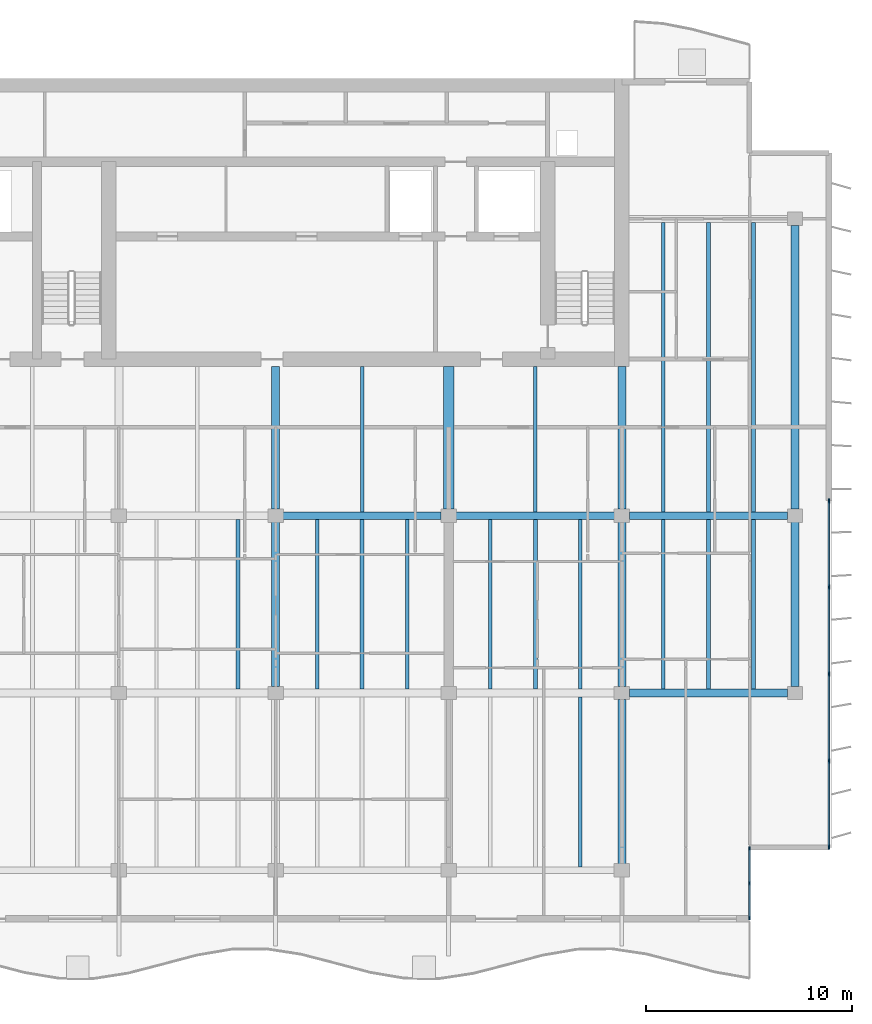
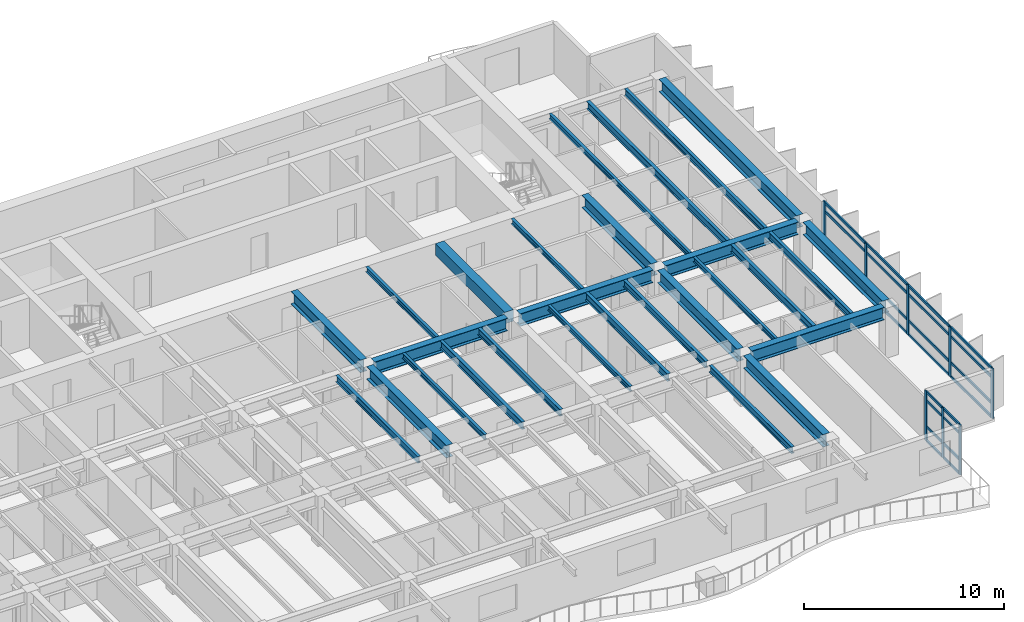
# One storey, part 4 of 17: 32 members, 28 beams, 2 elements without a shape of their own.
"""IFC4 building model written with IfcOpenShell, lengths in metres."""

from ifc_helpers import new_model, si_unit, direction, frame, origin, origin_2d, place, context, subcontext, project, spatial, rectangle, i_section, extrude, material, layer, layer_set, material_profile, profile_set, type_object, element, aggregate, save


model = new_model("IFC4")

# Units and contexts
model_context = context("Model", 3, precision=1e-05, world=origin(), true_north=direction((0.0, 1.0)))
body_context = subcontext(model_context, "Body", "Model", "MODEL_VIEW")
ifc_project = project(units=[si_unit("LENGTHUNIT", "METRE"), si_unit("AREAUNIT", "SQUARE_METRE"), si_unit("VOLUMEUNIT", "CUBIC_METRE"), si_unit("PLANEANGLEUNIT", "RADIAN"), si_unit("MASSUNIT", "GRAM", prefix="KILO")], contexts=[model_context])

# Site, building, storey
site_placement = place(None, origin())
site = spatial("IfcSite", under=ifc_project, at=site_placement, CompositionType="ELEMENT")
building_placement = place(site_placement, origin())
building = spatial("IfcBuilding", under=site, at=building_placement, Name="Caelmar Bay Residences", CompositionType="ELEMENT")
storey_placement = place(building_placement, frame((0.0, 0.0, 246.300048828125)))
storey = spatial("IfcBuildingStorey", under=building, at=storey_placement, Name="L69", CompositionType="ELEMENT", Elevation=246.300048828125)

# Beams
ifc_material_1 = material(Name="Steel ASTM A992 Grade 50", Category="steel")
ifc_material_profile_1 = material_profile(ifc_material_1, i_section(OverallWidth=0.177978515625, OverallDepth=0.406005859375, WebThickness=0.0078125, FlangeThickness=0.0126953125, FilletRadius=0.0087890625, at=origin_2d()), Name="W16X40")
ifc_profile_set_1 = profile_set([ifc_material_profile_1], Name="Steel ASTM A992 Grade 50")
beam_type_1 = type_object("IfcBeamType", Name="BM-BAL-W16X40", PredefinedType="JOIST", material=ifc_profile_set_1)
beam_1_placement = place(storey_placement, frame((57.48388671875, 12.362548828125, 2.846923828125), z_axis=(0.0, 1.0, 0.0), x_axis=(-1.0, 0.0, 0.0)))
element("IfcBeam", 1, at=beam_1_placement, inside=storey, type_object=beam_type_1, Name="L69 Composite Floor Joist 15", PredefinedType="JOIST", context=body_context, shape_type="SweptSolid", body=[
    extrude(i_section(OverallWidth=0.177978515625, OverallDepth=0.406005859375, WebThickness=0.0078125, FlangeThickness=0.0126953125, FilletRadius=0.0087890625, at=origin_2d()), origin(), (0.0, 0.0, 1.0), 8.2470703125),
])
for number, where, z_axis, x_axis, name in (
    (2, (40.8759765625, 20.990478515625, 2.846923828125), (0.0, 1.0, 0.0), (-1.0, 0.0, 0.0), "L69 Composite Floor Joist 27"),
    (3, (49.083984375, 20.990478515625, 2.846923828125), (0.0, 1.0, 0.0), (-1.0, 0.0, 0.0), "L69 Composite Floor Joist 30"),
    (4, (57.48388671875, 20.990478515625, 2.846923828125), (0.0, 1.0, 0.0), (-1.0, 0.0, 0.0), "L69 Composite Floor Joist 33"),
    (5, (65.884033203125, 20.990478515625, 2.846923828125), (0.0, 1.0, 0.0), (-1.0, 0.0, 0.0), "L69 Composite Floor Joist 36"),
):
    element("IfcBeam", number, at=place(storey_placement, frame(where, z_axis=z_axis, x_axis=x_axis)), inside=storey, type_object=beam_type_1, Name=name, PredefinedType="JOIST", context=body_context, shape_type="SweptSolid", body=[
        extrude(i_section(OverallWidth=0.177978515625, OverallDepth=0.406005859375, WebThickness=0.0078125, FlangeThickness=0.0126953125, FilletRadius=0.0087890625, at=origin_2d()), origin(), (0.0, 0.0, 1.0), 8.218994140625),
    ])
beam_2_placement = place(storey_placement, frame((65.884033203125, 29.590576171875, 2.846923828125), z_axis=(0.0, 1.0, 0.0), x_axis=(-1.0, 0.0, 0.0)))
element("IfcBeam", 6, at=beam_2_placement, inside=storey, type_object=beam_type_1, Name="L69 Composite Floor Joist 47", PredefinedType="JOIST", context=body_context, shape_type="SweptSolid", body=[
    extrude(i_section(OverallWidth=0.177978515625, OverallDepth=0.406005859375, WebThickness=0.0078125, FlangeThickness=0.0126953125, FilletRadius=0.0087890625, at=origin_2d()), origin(), (0.0, 0.0, 1.0), 14.046875),
])
ifc_material_profile_2 = material_profile(ifc_material_1, i_section(OverallWidth=0.381103515625, OverallDepth=0.77197265625, WebThickness=0.0166015625, FlangeThickness=0.027099609375, FilletRadius=0.0166015625, at=origin_2d()), Name="W30X173")
ifc_profile_set_2 = profile_set([ifc_material_profile_2], Name="Steel ASTM A992 Grade 50")
beam_type_2 = type_object("IfcBeamType", Name="BM-GRD-W30X173", PredefinedType="BEAM", material=ifc_profile_set_2)
beam_3_placement = place(storey_placement, frame((59.864990234375, 20.800048828125, 2.6640625), z_axis=(1.0, 0.0, 0.0), x_axis=(0.0, 1.0, 0.0)))
element("IfcBeam", 7, at=beam_3_placement, inside=storey, type_object=beam_type_2, Name="L69 East-West Girder Y=20.80 (59.5-67.9)", PredefinedType="BEAM", context=body_context, shape_type="SweptSolid", body=[
    extrude(i_section(OverallWidth=0.381103515625, OverallDepth=0.77197265625, WebThickness=0.0166015625, FlangeThickness=0.027099609375, FilletRadius=0.0166015625, at=origin_2d()), origin(), (0.0, 0.0, 1.0), 7.669921875),
])
beam_4_placement = place(storey_placement, frame((43.06494140625, 29.39990234375, 2.6640625), z_axis=(1.0, 0.0, 0.0), x_axis=(0.0, 1.0, 0.0)))
element("IfcBeam", 8, at=beam_4_placement, inside=storey, type_object=beam_type_2, Name="L69 East-West Girder Y=29.40 (42.7-51.1)", PredefinedType="BEAM", context=body_context, shape_type="SweptSolid", body=[
    extrude(i_section(OverallWidth=0.381103515625, OverallDepth=0.77197265625, WebThickness=0.0166015625, FlangeThickness=0.027099609375, FilletRadius=0.0166015625, at=origin_2d()), origin(), (0.0, 0.0, 1.0), 7.670166015625),
])
for number, where, z_axis, x_axis, name in (
    (9, (51.465087890625, 29.39990234375, 2.6640625), (1.0, 0.0, 0.0), (0.0, 1.0, 0.0), "L69 East-West Girder Y=29.40 (51.1-59.5)"),
    (10, (59.864990234375, 29.39990234375, 2.6640625), (1.0, 0.0, 0.0), (0.0, 1.0, 0.0), "L69 East-West Girder Y=29.40 (59.5-67.9)"),
):
    element("IfcBeam", number, at=place(storey_placement, frame(where, z_axis=z_axis, x_axis=x_axis)), inside=storey, type_object=beam_type_2, Name=name, PredefinedType="BEAM", context=body_context, shape_type="SweptSolid", body=[
        extrude(i_section(OverallWidth=0.381103515625, OverallDepth=0.77197265625, WebThickness=0.0166015625, FlangeThickness=0.027099609375, FilletRadius=0.0166015625, at=origin_2d()), origin(), (0.0, 0.0, 1.0), 7.669921875),
    ])
beam_5_placement = place(storey_placement, frame((42.699951171875, 29.715087890625, 2.6640625), z_axis=(0.0, 1.0, 0.0), x_axis=(-1.0, 0.0, 0.0)))
element("IfcBeam", 11, at=beam_5_placement, inside=storey, type_object=beam_type_2, Name="L69 Core Tie Girder X=42.70", PredefinedType="BEAM", context=body_context, shape_type="SweptSolid", body=[
    extrude(i_section(OverallWidth=0.381103515625, OverallDepth=0.77197265625, WebThickness=0.0166015625, FlangeThickness=0.027099609375, FilletRadius=0.0166015625, at=origin_2d()), origin(), (0.0, 0.0, 1.0), 6.934814453125),
])
beam_6_placement = place(storey_placement, frame((42.699951171875, 21.114990234375, 2.6640625), z_axis=(0.0, 1.0, 0.0), x_axis=(-1.0, 0.0, 0.0)))
element("IfcBeam", 12, at=beam_6_placement, inside=storey, type_object=beam_type_2, Name="L69 North-South Girder X=42.70 (20.8-29.4)", PredefinedType="BEAM", context=body_context, shape_type="SweptSolid", body=[
    extrude(i_section(OverallWidth=0.381103515625, OverallDepth=0.77197265625, WebThickness=0.0166015625, FlangeThickness=0.027099609375, FilletRadius=0.0166015625, at=origin_2d()), origin(), (0.0, 0.0, 1.0), 7.969970703125),
])
beam_7_placement = place(storey_placement, frame((59.5, 29.715087890625, 2.6640625), z_axis=(0.0, 1.0, 0.0), x_axis=(-1.0, 0.0, 0.0)))
element("IfcBeam", 13, at=beam_7_placement, inside=storey, type_object=beam_type_2, Name="L69 Core Tie Girder X=59.50", PredefinedType="BEAM", context=body_context, shape_type="SweptSolid", body=[
    extrude(i_section(OverallWidth=0.381103515625, OverallDepth=0.77197265625, WebThickness=0.0166015625, FlangeThickness=0.027099609375, FilletRadius=0.0166015625, at=origin_2d()), origin(), (0.0, 0.0, 1.0), 6.934814453125),
])
beam_8_placement = place(storey_placement, frame((59.5, 12.514892578125, 2.6640625), z_axis=(0.0, 1.0, 0.0), x_axis=(-1.0, 0.0, 0.0)))
element("IfcBeam", 14, at=beam_8_placement, inside=storey, type_object=beam_type_2, Name="L69 North-South Girder X=59.50 (12.2-20.8)", PredefinedType="BEAM", context=body_context, shape_type="SweptSolid", body=[
    extrude(i_section(OverallWidth=0.381103515625, OverallDepth=0.77197265625, WebThickness=0.0166015625, FlangeThickness=0.027099609375, FilletRadius=0.0166015625, at=origin_2d()), origin(), (0.0, 0.0, 1.0), 7.97021484375),
])
for number, where, z_axis, x_axis, name in (
    (15, (59.5, 21.114990234375, 2.6640625), (0.0, 1.0, 0.0), (-1.0, 0.0, 0.0), "L69 North-South Girder X=59.50 (20.8-29.4)"),
    (16, (67.89990234375, 21.114990234375, 2.6640625), (0.0, 1.0, 0.0), (-1.0, 0.0, 0.0), "L69 North-South Girder X=67.90 (20.8-29.4)"),
):
    element("IfcBeam", number, at=place(storey_placement, frame(where, z_axis=z_axis, x_axis=x_axis)), inside=storey, type_object=beam_type_2, Name=name, PredefinedType="BEAM", context=body_context, shape_type="SweptSolid", body=[
        extrude(i_section(OverallWidth=0.381103515625, OverallDepth=0.77197265625, WebThickness=0.0166015625, FlangeThickness=0.027099609375, FilletRadius=0.0166015625, at=origin_2d()), origin(), (0.0, 0.0, 1.0), 7.969970703125),
    ])
beam_9_placement = place(storey_placement, frame((67.89990234375, 29.715087890625, 2.6640625), z_axis=(0.0, 1.0, 0.0), x_axis=(-1.0, 0.0, 0.0)))
element("IfcBeam", 17, at=beam_9_placement, inside=storey, type_object=beam_type_2, Name="L69 North-South Girder X=67.90 (29.4-43.8)", PredefinedType="BEAM", context=body_context, shape_type="SweptSolid", body=[
    extrude(i_section(OverallWidth=0.381103515625, OverallDepth=0.77197265625, WebThickness=0.0166015625, FlangeThickness=0.027099609375, FilletRadius=0.0166015625, at=origin_2d()), origin(), (0.0, 0.0, 1.0), 13.77001953125),
])
ifc_material_profile_3 = material_profile(ifc_material_1, i_section(OverallWidth=0.1650390625, OverallDepth=0.31005859375, WebThickness=0.005859375, FlangeThickness=0.009765625, FilletRadius=0.007568359375, at=origin_2d()), Name="W12X26")
ifc_profile_set_3 = profile_set([ifc_material_profile_3], Name="Steel ASTM A992 Grade 50")
beam_type_3 = type_object("IfcBeamType", Name="BM-JST-W12X26", PredefinedType="JOIST", material=ifc_profile_set_3)
for number, where, z_axis, x_axis, name in (
    (18, (44.716064453125, 20.990478515625, 2.89501953125), (0.0, 1.0, 0.0), (-1.0, 0.0, 0.0), "L69 Composite Floor Joist 28"),
    (19, (53.115966796875, 20.990478515625, 2.89501953125), (0.0, 1.0, 0.0), (-1.0, 0.0, 0.0), "L69 Composite Floor Joist 31"),
    (20, (61.51611328125, 20.990478515625, 2.89501953125), (0.0, 1.0, 0.0), (-1.0, 0.0, 0.0), "L69 Composite Floor Joist 34"),
):
    element("IfcBeam", number, at=place(storey_placement, frame(where, z_axis=z_axis, x_axis=x_axis)), inside=storey, type_object=beam_type_3, Name=name, PredefinedType="JOIST", context=body_context, shape_type="SweptSolid", body=[
        extrude(i_section(OverallWidth=0.1650390625, OverallDepth=0.31005859375, WebThickness=0.005859375, FlangeThickness=0.009765625, FilletRadius=0.007568359375, at=origin_2d()), origin(), (0.0, 0.0, 1.0), 8.218994140625),
    ])
for number, where, z_axis, x_axis, name in (
    (21, (46.89990234375, 29.590576171875, 2.89501953125), (0.0, 1.0, 0.0), (-1.0, 0.0, 0.0), "L69 Core-Band Composite Joist 40"),
    (22, (55.300048828125, 29.590576171875, 2.89501953125), (0.0, 1.0, 0.0), (-1.0, 0.0, 0.0), "L69 Core-Band Composite Joist 41"),
):
    element("IfcBeam", number, at=place(storey_placement, frame(where, z_axis=z_axis, x_axis=x_axis)), inside=storey, type_object=beam_type_3, Name=name, PredefinedType="JOIST", context=body_context, shape_type="SweptSolid", body=[
        extrude(i_section(OverallWidth=0.1650390625, OverallDepth=0.31005859375, WebThickness=0.005859375, FlangeThickness=0.009765625, FilletRadius=0.007568359375, at=origin_2d()), origin(), (0.0, 0.0, 1.0), 7.059326171875),
    ])
beam_10_placement = place(storey_placement, frame((61.51611328125, 29.590576171875, 2.89501953125), z_axis=(0.0, 1.0, 0.0), x_axis=(-1.0, 0.0, 0.0)))
element("IfcBeam", 23, at=beam_10_placement, inside=storey, type_object=beam_type_3, Name="L69 Composite Floor Joist 45", PredefinedType="JOIST", context=body_context, shape_type="SweptSolid", body=[
    extrude(i_section(OverallWidth=0.1650390625, OverallDepth=0.31005859375, WebThickness=0.005859375, FlangeThickness=0.009765625, FilletRadius=0.007568359375, at=origin_2d()), origin(), (0.0, 0.0, 1.0), 14.046875),
])
ifc_material_profile_4 = material_profile(ifc_material_1, i_section(OverallWidth=0.19091796875, OverallDepth=0.45703125, WebThickness=0.009033203125, FlangeThickness=0.014404296875, FilletRadius=0.01025390625, at=origin_2d()), Name="W18X50")
ifc_profile_set_4 = profile_set([ifc_material_profile_4], Name="Steel ASTM A992 Grade 50")
beam_type_4 = type_object("IfcBeamType", Name="BM-JST-W18X50", PredefinedType="JOIST", material=ifc_profile_set_4)
for number, where, z_axis, x_axis, name in (
    (24, (46.89990234375, 20.990478515625, 2.821533203125), (0.0, 1.0, 0.0), (-1.0, 0.0, 0.0), "L69 Composite Floor Joist 29"),
    (25, (55.300048828125, 20.990478515625, 2.821533203125), (0.0, 1.0, 0.0), (-1.0, 0.0, 0.0), "L69 Composite Floor Joist 32"),
    (26, (63.699951171875, 20.990478515625, 2.821533203125), (0.0, 1.0, 0.0), (-1.0, 0.0, 0.0), "L69 Composite Floor Joist 35"),
):
    element("IfcBeam", number, at=place(storey_placement, frame(where, z_axis=z_axis, x_axis=x_axis)), inside=storey, type_object=beam_type_4, Name=name, PredefinedType="JOIST", context=body_context, shape_type="SweptSolid", body=[
        extrude(i_section(OverallWidth=0.19091796875, OverallDepth=0.45703125, WebThickness=0.009033203125, FlangeThickness=0.014404296875, FilletRadius=0.01025390625, at=origin_2d()), origin(), (0.0, 0.0, 1.0), 8.218994140625),
    ])
beam_11_placement = place(storey_placement, frame((63.699951171875, 29.590576171875, 2.821533203125), z_axis=(0.0, 1.0, 0.0), x_axis=(-1.0, 0.0, 0.0)))
element("IfcBeam", 27, at=beam_11_placement, inside=storey, type_object=beam_type_4, Name="L69 Composite Floor Joist 46", PredefinedType="JOIST", context=body_context, shape_type="SweptSolid", body=[
    extrude(i_section(OverallWidth=0.19091796875, OverallDepth=0.45703125, WebThickness=0.009033203125, FlangeThickness=0.014404296875, FilletRadius=0.01025390625, at=origin_2d()), origin(), (0.0, 0.0, 1.0), 14.046875),
])
ifc_material_2 = material(Name="Concrete f'c 55 MPa (8,000 psi)", Category="concrete")
ifc_material_profile_5 = material_profile(ifc_material_2, rectangle(XDim=0.5, YDim=0.699951171875, at=origin_2d()), Name="RC-BM-500X700")
ifc_profile_set_5 = profile_set([ifc_material_profile_5], Name="Concrete f'c 55 MPa (8,000 psi)")
beam_type_5 = type_object("IfcBeamType", Name="BM-RC-500X700", PredefinedType="LINTEL", material=ifc_profile_set_5)
beam_12_placement = place(storey_placement, frame((51.10009765625, 29.715087890625, 2.699951171875), z_axis=(0.0, 1.0, 0.0), x_axis=(-1.0, 0.0, 0.0)))
element("IfcBeam", 28, at=beam_12_placement, inside=storey, type_object=beam_type_5, Name="L69 Shear-Wall Corridor Coupling Lintel E8", PredefinedType="LINTEL", context=body_context, shape_type="SweptSolid", body=[
    extrude(rectangle(XDim=0.5, YDim=0.699951171875, at=origin_2d()), origin(), (0.0, 0.0, 1.0), 6.934814453125),
])

# Curtain wall, members
ifc_material_3 = material(Name="Anodised bronze aluminium 6063-T6 and laminated glass", Category="aluminium")
ifc_layer_1 = layer(ifc_material_3, 0.179931640625)
ifc_layer_set_1 = layer_set([ifc_layer_1], Name="Anodised bronze aluminium 6063-T6 and laminated glass")
curtain_wall_type_1 = type_object("IfcCurtainWallType", Name="CW6-NTC", PredefinedType="NOTDEFINED", material=ifc_layer_set_1)
curtain_wall_1_placement = place(storey_placement, origin())
curtain_wall_1 = element("IfcCurtainWall", 29, at=curtain_wall_1_placement, inside=storey, type_object=curtain_wall_type_1, Name="CW6 curtain wall L69", PredefinedType="NOTDEFINED")
ifc_material_4 = material(Name="Anodised bronze aluminium 6063-T6", Category="aluminium")
ifc_material_profile_6 = material_profile(ifc_material_4, rectangle(XDim=0.080078125, YDim=0.179931640625, at=origin_2d()), Name="CWM-80X180")
ifc_profile_set_6 = profile_set([ifc_material_profile_6], Name="Anodised bronze aluminium 6063-T6")
member_type_1 = type_object("IfcMemberType", Name="CWM-180", PredefinedType="MULLION", material=ifc_profile_set_6)
member_1_placement = place(storey_placement, frame((65.699951171875, 9.889892578125, 0.0), z_axis=(0.0, 0.0, 1.0), x_axis=(-1.0, 0.0, 0.0)))
member_1 = element("IfcMember", 30, at=member_1_placement, type_object=member_type_1, Name="CW6 mullion 1", PredefinedType="MULLION", context=body_context, shape_type="SweptSolid", body=[
    extrude(rectangle(XDim=0.080078125, YDim=0.179931640625, at=origin_2d()), origin(), (0.0, 0.0, 1.0), 3.050048828125),
])
member_2_placement = place(storey_placement, frame((65.699951171875, 11.574951171875, 0.0), z_axis=(0.0, 0.0, 1.0), x_axis=(-1.0, 0.0, 0.0)))
member_2 = element("IfcMember", 31, at=member_2_placement, type_object=member_type_1, Name="CW6 mullion 2", PredefinedType="MULLION", context=body_context, shape_type="SweptSolid", body=[
    extrude(rectangle(XDim=0.080078125, YDim=0.179931640625, at=origin_2d()), origin(), (0.0, 0.0, 1.0), 3.050048828125),
])
member_3_placement = place(storey_placement, frame((65.699951171875, 13.260009765625, 0.0), z_axis=(0.0, 0.0, 1.0), x_axis=(-1.0, 0.0, 0.0)))
member_3 = element("IfcMember", 32, at=member_3_placement, type_object=member_type_1, Name="CW6 mullion 3", PredefinedType="MULLION", context=body_context, shape_type="SweptSolid", body=[
    extrude(rectangle(XDim=0.080078125, YDim=0.179931640625, at=origin_2d()), origin(), (0.0, 0.0, 1.0), 3.050048828125),
])

ifc_layer_2 = layer(ifc_material_3, 0.179931640625)
ifc_layer_set_2 = layer_set([ifc_layer_2], Name="Anodised bronze aluminium 6063-T6 and laminated glass")
curtain_wall_type_2 = type_object("IfcCurtainWallType", Name="CW5-Z4", PredefinedType="NOTDEFINED", material=ifc_layer_set_2)
curtain_wall_2_placement = place(storey_placement, origin())
curtain_wall_2 = element("IfcCurtainWall", 33, at=curtain_wall_2_placement, inside=storey, type_object=curtain_wall_type_2, Name="CW5 curtain wall L69", PredefinedType="NOTDEFINED")
ifc_material_profile_7 = material_profile(ifc_material_4, rectangle(XDim=0.080078125, YDim=0.219970703125, at=origin_2d()), Name="CWM-80X220")
ifc_profile_set_7 = profile_set([ifc_material_profile_7], Name="Anodised bronze aluminium 6063-T6")
member_type_2 = type_object("IfcMemberType", Name="CWM-220", PredefinedType="MULLION", material=ifc_profile_set_7)
member_4_placement = place(storey_placement, frame((69.550048828125, 30.110107421875, 0.0), z_axis=(0.0, 0.0, 1.0), x_axis=(1.0, 0.0, 0.0)))
member_4 = element("IfcMember", 34, at=member_4_placement, type_object=member_type_2, Name="CW5 mullion 1", PredefinedType="MULLION", context=body_context, shape_type="SweptSolid", body=[
    extrude(rectangle(XDim=0.080078125, YDim=0.219970703125, at=origin_2d()), origin(), (0.0, 0.0, 1.0), 3.050048828125),
])
member_5_placement = place(storey_placement, frame((69.550048828125, 25.9375, 0.0), z_axis=(0.0, 0.0, 1.0), x_axis=(1.0, 0.0, 0.0)))
member_5 = element("IfcMember", 35, at=member_5_placement, type_object=member_type_2, Name="CW5 mullion 2", PredefinedType="MULLION", context=body_context, shape_type="SweptSolid", body=[
    extrude(rectangle(XDim=0.080078125, YDim=0.219970703125, at=origin_2d()), origin(), (0.0, 0.0, 1.0), 3.050048828125),
])
member_6_placement = place(storey_placement, frame((69.550048828125, 21.72509765625, 0.0), z_axis=(0.0, 0.0, 1.0), x_axis=(1.0, 0.0, 0.0)))
member_6 = element("IfcMember", 36, at=member_6_placement, type_object=member_type_2, Name="CW5 mullion 3", PredefinedType="MULLION", context=body_context, shape_type="SweptSolid", body=[
    extrude(rectangle(XDim=0.080078125, YDim=0.219970703125, at=origin_2d()), origin(), (0.0, 0.0, 1.0), 3.050048828125),
])
member_7_placement = place(storey_placement, frame((69.550048828125, 17.512451171875, 0.0), z_axis=(0.0, 0.0, 1.0), x_axis=(1.0, 0.0, 0.0)))
member_7 = element("IfcMember", 37, at=member_7_placement, type_object=member_type_2, Name="CW5 mullion 4", PredefinedType="MULLION", context=body_context, shape_type="SweptSolid", body=[
    extrude(rectangle(XDim=0.080078125, YDim=0.219970703125, at=origin_2d()), origin(), (0.0, 0.0, 1.0), 3.050048828125),
])
member_8_placement = place(storey_placement, frame((69.550048828125, 13.340087890625, 0.0), z_axis=(0.0, 0.0, 1.0), x_axis=(1.0, 0.0, 0.0)))
member_8 = element("IfcMember", 38, at=member_8_placement, type_object=member_type_2, Name="CW5 mullion 5", PredefinedType="MULLION", context=body_context, shape_type="SweptSolid", body=[
    extrude(rectangle(XDim=0.080078125, YDim=0.219970703125, at=origin_2d()), origin(), (0.0, 0.0, 1.0), 3.050048828125),
])

# Member
ifc_material_profile_8 = material_profile(ifc_material_4, rectangle(XDim=0.080078125, YDim=0.139892578125, at=origin_2d()), Name="CWT-80X140")
ifc_profile_set_8 = profile_set([ifc_material_profile_8], Name="Anodised bronze aluminium 6063-T6")
member_type_3 = type_object("IfcMemberType", Name="CWT-140", PredefinedType="NOTDEFINED", material=ifc_profile_set_8)
member_9_placement = place(storey_placement, frame((65.699951171875, 9.929931640625, 0.0400390625), z_axis=(0.0, 1.0, 0.0), x_axis=(-1.0, 0.0, 0.0)))
member_9 = element("IfcMember", 39, at=member_9_placement, type_object=member_type_3, Name="CW6 transom 1.1", ObjectType="TRANSOM", PredefinedType="USERDEFINED", context=body_context, shape_type="SweptSolid", body=[
    extrude(rectangle(XDim=0.080078125, YDim=0.139892578125, at=origin_2d()), origin(), (0.0, 0.0, 1.0), 1.60498046875),
])

member_10_placement = place(storey_placement, frame((65.699951171875, 9.929931640625, 0.89990234375), z_axis=(0.0, 1.0, 0.0), x_axis=(-1.0, 0.0, 0.0)))
member_10 = element("IfcMember", 40, at=member_10_placement, type_object=member_type_3, Name="CW6 transom 1.2", ObjectType="TRANSOM", PredefinedType="USERDEFINED", context=body_context, shape_type="SweptSolid", body=[
    extrude(rectangle(XDim=0.080078125, YDim=0.139892578125, at=origin_2d()), origin(), (0.0, 0.0, 1.0), 1.60498046875),
])

member_11_placement = place(storey_placement, frame((65.699951171875, 9.929931640625, 2.5), z_axis=(0.0, 1.0, 0.0), x_axis=(-1.0, 0.0, 0.0)))
member_11 = element("IfcMember", 41, at=member_11_placement, type_object=member_type_3, Name="CW6 transom 1.3", ObjectType="TRANSOM", PredefinedType="USERDEFINED", context=body_context, shape_type="SweptSolid", body=[
    extrude(rectangle(XDim=0.080078125, YDim=0.139892578125, at=origin_2d()), origin(), (0.0, 0.0, 1.0), 1.60498046875),
])

member_12_placement = place(storey_placement, frame((65.699951171875, 9.929931640625, 3.010009765625), z_axis=(0.0, 1.0, 0.0), x_axis=(-1.0, 0.0, 0.0)))
member_12 = element("IfcMember", 42, at=member_12_placement, type_object=member_type_3, Name="CW6 transom 1.4", ObjectType="TRANSOM", PredefinedType="USERDEFINED", context=body_context, shape_type="SweptSolid", body=[
    extrude(rectangle(XDim=0.080078125, YDim=0.139892578125, at=origin_2d()), origin(), (0.0, 0.0, 1.0), 1.60498046875),
])

member_13_placement = place(storey_placement, frame((65.699951171875, 11.614990234375, 0.0400390625), z_axis=(0.0, 1.0, 0.0), x_axis=(-1.0, 0.0, 0.0)))
member_13 = element("IfcMember", 43, at=member_13_placement, type_object=member_type_3, Name="CW6 transom 2.1", ObjectType="TRANSOM", PredefinedType="USERDEFINED", context=body_context, shape_type="SweptSolid", body=[
    extrude(rectangle(XDim=0.080078125, YDim=0.139892578125, at=origin_2d()), origin(), (0.0, 0.0, 1.0), 1.60498046875),
])

member_14_placement = place(storey_placement, frame((65.699951171875, 11.614990234375, 0.89990234375), z_axis=(0.0, 1.0, 0.0), x_axis=(-1.0, 0.0, 0.0)))
member_14 = element("IfcMember", 44, at=member_14_placement, type_object=member_type_3, Name="CW6 transom 2.2", ObjectType="TRANSOM", PredefinedType="USERDEFINED", context=body_context, shape_type="SweptSolid", body=[
    extrude(rectangle(XDim=0.080078125, YDim=0.139892578125, at=origin_2d()), origin(), (0.0, 0.0, 1.0), 1.60498046875),
])

member_15_placement = place(storey_placement, frame((65.699951171875, 11.614990234375, 2.5), z_axis=(0.0, 1.0, 0.0), x_axis=(-1.0, 0.0, 0.0)))
member_15 = element("IfcMember", 45, at=member_15_placement, type_object=member_type_3, Name="CW6 transom 2.3", ObjectType="TRANSOM", PredefinedType="USERDEFINED", context=body_context, shape_type="SweptSolid", body=[
    extrude(rectangle(XDim=0.080078125, YDim=0.139892578125, at=origin_2d()), origin(), (0.0, 0.0, 1.0), 1.60498046875),
])

member_16_placement = place(storey_placement, frame((65.699951171875, 11.614990234375, 3.010009765625), z_axis=(0.0, 1.0, 0.0), x_axis=(-1.0, 0.0, 0.0)))
member_16 = element("IfcMember", 46, at=member_16_placement, type_object=member_type_3, Name="CW6 transom 2.4", ObjectType="TRANSOM", PredefinedType="USERDEFINED", context=body_context, shape_type="SweptSolid", body=[
    extrude(rectangle(XDim=0.080078125, YDim=0.139892578125, at=origin_2d()), origin(), (0.0, 0.0, 1.0), 1.60498046875),
])

aggregate(curtain_wall_1, [member_1, member_2, member_3, member_9, member_10, member_11, member_12, member_13, member_14, member_15, member_16])

ifc_material_profile_9 = material_profile(ifc_material_4, rectangle(XDim=0.080078125, YDim=0.159912109375, at=origin_2d()), Name="CWT-80X160")
ifc_profile_set_9 = profile_set([ifc_material_profile_9], Name="Anodised bronze aluminium 6063-T6")
member_type_4 = type_object("IfcMemberType", Name="CWT-160", PredefinedType="NOTDEFINED", material=ifc_profile_set_9)
member_17_placement = place(storey_placement, frame((69.550048828125, 30.070068359375, 0.0400390625), z_axis=(0.0, -1.0, 0.0), x_axis=(1.0, 0.0, 0.0)))
member_17 = element("IfcMember", 47, at=member_17_placement, type_object=member_type_4, Name="CW5 transom 1.1", ObjectType="TRANSOM", PredefinedType="USERDEFINED", context=body_context, shape_type="SweptSolid", body=[
    extrude(rectangle(XDim=0.080078125, YDim=0.159912109375, at=origin_2d()), origin(), (0.0, 0.0, 1.0), 4.092529296875),
])

member_18_placement = place(storey_placement, frame((69.550048828125, 30.070068359375, 0.89990234375), z_axis=(0.0, -1.0, 0.0), x_axis=(1.0, 0.0, 0.0)))
member_18 = element("IfcMember", 48, at=member_18_placement, type_object=member_type_4, Name="CW5 transom 1.2", ObjectType="TRANSOM", PredefinedType="USERDEFINED", context=body_context, shape_type="SweptSolid", body=[
    extrude(rectangle(XDim=0.080078125, YDim=0.159912109375, at=origin_2d()), origin(), (0.0, 0.0, 1.0), 4.092529296875),
])

member_19_placement = place(storey_placement, frame((69.550048828125, 30.070068359375, 2.5), z_axis=(0.0, -1.0, 0.0), x_axis=(1.0, 0.0, 0.0)))
member_19 = element("IfcMember", 49, at=member_19_placement, type_object=member_type_4, Name="CW5 transom 1.3", ObjectType="TRANSOM", PredefinedType="USERDEFINED", context=body_context, shape_type="SweptSolid", body=[
    extrude(rectangle(XDim=0.080078125, YDim=0.159912109375, at=origin_2d()), origin(), (0.0, 0.0, 1.0), 4.092529296875),
])

member_20_placement = place(storey_placement, frame((69.550048828125, 30.070068359375, 3.010009765625), z_axis=(0.0, -1.0, 0.0), x_axis=(1.0, 0.0, 0.0)))
member_20 = element("IfcMember", 50, at=member_20_placement, type_object=member_type_4, Name="CW5 transom 1.4", ObjectType="TRANSOM", PredefinedType="USERDEFINED", context=body_context, shape_type="SweptSolid", body=[
    extrude(rectangle(XDim=0.080078125, YDim=0.159912109375, at=origin_2d()), origin(), (0.0, 0.0, 1.0), 4.092529296875),
])

member_21_placement = place(storey_placement, frame((69.550048828125, 25.8974609375, 0.0400390625), z_axis=(0.0, -1.0, 0.0), x_axis=(1.0, 0.0, 0.0)))
member_21 = element("IfcMember", 51, at=member_21_placement, type_object=member_type_4, Name="CW5 transom 2.1", ObjectType="TRANSOM", PredefinedType="USERDEFINED", context=body_context, shape_type="SweptSolid", body=[
    extrude(rectangle(XDim=0.080078125, YDim=0.159912109375, at=origin_2d()), origin(), (0.0, 0.0, 1.0), 4.132568359375),
])

member_22_placement = place(storey_placement, frame((69.550048828125, 25.8974609375, 0.89990234375), z_axis=(0.0, -1.0, 0.0), x_axis=(1.0, 0.0, 0.0)))
member_22 = element("IfcMember", 52, at=member_22_placement, type_object=member_type_4, Name="CW5 transom 2.2", ObjectType="TRANSOM", PredefinedType="USERDEFINED", context=body_context, shape_type="SweptSolid", body=[
    extrude(rectangle(XDim=0.080078125, YDim=0.159912109375, at=origin_2d()), origin(), (0.0, 0.0, 1.0), 4.132568359375),
])

member_23_placement = place(storey_placement, frame((69.550048828125, 25.8974609375, 2.5), z_axis=(0.0, -1.0, 0.0), x_axis=(1.0, 0.0, 0.0)))
member_23 = element("IfcMember", 53, at=member_23_placement, type_object=member_type_4, Name="CW5 transom 2.3", ObjectType="TRANSOM", PredefinedType="USERDEFINED", context=body_context, shape_type="SweptSolid", body=[
    extrude(rectangle(XDim=0.080078125, YDim=0.159912109375, at=origin_2d()), origin(), (0.0, 0.0, 1.0), 4.132568359375),
])

member_24_placement = place(storey_placement, frame((69.550048828125, 25.8974609375, 3.010009765625), z_axis=(0.0, -1.0, 0.0), x_axis=(1.0, 0.0, 0.0)))
member_24 = element("IfcMember", 54, at=member_24_placement, type_object=member_type_4, Name="CW5 transom 2.4", ObjectType="TRANSOM", PredefinedType="USERDEFINED", context=body_context, shape_type="SweptSolid", body=[
    extrude(rectangle(XDim=0.080078125, YDim=0.159912109375, at=origin_2d()), origin(), (0.0, 0.0, 1.0), 4.132568359375),
])

member_25_placement = place(storey_placement, frame((69.550048828125, 21.68505859375, 0.0400390625), z_axis=(0.0, -1.0, 0.0), x_axis=(1.0, 0.0, 0.0)))
member_25 = element("IfcMember", 55, at=member_25_placement, type_object=member_type_4, Name="CW5 transom 3.1", ObjectType="TRANSOM", PredefinedType="USERDEFINED", context=body_context, shape_type="SweptSolid", body=[
    extrude(rectangle(XDim=0.080078125, YDim=0.159912109375, at=origin_2d()), origin(), (0.0, 0.0, 1.0), 4.132568359375),
])

member_26_placement = place(storey_placement, frame((69.550048828125, 21.68505859375, 0.89990234375), z_axis=(0.0, -1.0, 0.0), x_axis=(1.0, 0.0, 0.0)))
member_26 = element("IfcMember", 56, at=member_26_placement, type_object=member_type_4, Name="CW5 transom 3.2", ObjectType="TRANSOM", PredefinedType="USERDEFINED", context=body_context, shape_type="SweptSolid", body=[
    extrude(rectangle(XDim=0.080078125, YDim=0.159912109375, at=origin_2d()), origin(), (0.0, 0.0, 1.0), 4.132568359375),
])

member_27_placement = place(storey_placement, frame((69.550048828125, 21.68505859375, 2.5), z_axis=(0.0, -1.0, 0.0), x_axis=(1.0, 0.0, 0.0)))
member_27 = element("IfcMember", 57, at=member_27_placement, type_object=member_type_4, Name="CW5 transom 3.3", ObjectType="TRANSOM", PredefinedType="USERDEFINED", context=body_context, shape_type="SweptSolid", body=[
    extrude(rectangle(XDim=0.080078125, YDim=0.159912109375, at=origin_2d()), origin(), (0.0, 0.0, 1.0), 4.132568359375),
])

member_28_placement = place(storey_placement, frame((69.550048828125, 21.68505859375, 3.010009765625), z_axis=(0.0, -1.0, 0.0), x_axis=(1.0, 0.0, 0.0)))
member_28 = element("IfcMember", 58, at=member_28_placement, type_object=member_type_4, Name="CW5 transom 3.4", ObjectType="TRANSOM", PredefinedType="USERDEFINED", context=body_context, shape_type="SweptSolid", body=[
    extrude(rectangle(XDim=0.080078125, YDim=0.159912109375, at=origin_2d()), origin(), (0.0, 0.0, 1.0), 4.132568359375),
])

member_29_placement = place(storey_placement, frame((69.550048828125, 17.472412109375, 0.0400390625), z_axis=(0.0, -1.0, 0.0), x_axis=(1.0, 0.0, 0.0)))
member_29 = element("IfcMember", 59, at=member_29_placement, type_object=member_type_4, Name="CW5 transom 4.1", ObjectType="TRANSOM", PredefinedType="USERDEFINED", context=body_context, shape_type="SweptSolid", body=[
    extrude(rectangle(XDim=0.080078125, YDim=0.159912109375, at=origin_2d()), origin(), (0.0, 0.0, 1.0), 4.092529296875),
])

member_30_placement = place(storey_placement, frame((69.550048828125, 17.472412109375, 0.89990234375), z_axis=(0.0, -1.0, 0.0), x_axis=(1.0, 0.0, 0.0)))
member_30 = element("IfcMember", 60, at=member_30_placement, type_object=member_type_4, Name="CW5 transom 4.2", ObjectType="TRANSOM", PredefinedType="USERDEFINED", context=body_context, shape_type="SweptSolid", body=[
    extrude(rectangle(XDim=0.080078125, YDim=0.159912109375, at=origin_2d()), origin(), (0.0, 0.0, 1.0), 4.092529296875),
])

member_31_placement = place(storey_placement, frame((69.550048828125, 17.472412109375, 2.5), z_axis=(0.0, -1.0, 0.0), x_axis=(1.0, 0.0, 0.0)))
member_31 = element("IfcMember", 61, at=member_31_placement, type_object=member_type_4, Name="CW5 transom 4.3", ObjectType="TRANSOM", PredefinedType="USERDEFINED", context=body_context, shape_type="SweptSolid", body=[
    extrude(rectangle(XDim=0.080078125, YDim=0.159912109375, at=origin_2d()), origin(), (0.0, 0.0, 1.0), 4.092529296875),
])

member_32_placement = place(storey_placement, frame((69.550048828125, 17.472412109375, 3.010009765625), z_axis=(0.0, -1.0, 0.0), x_axis=(1.0, 0.0, 0.0)))
member_32 = element("IfcMember", 62, at=member_32_placement, type_object=member_type_4, Name="CW5 transom 4.4", ObjectType="TRANSOM", PredefinedType="USERDEFINED", context=body_context, shape_type="SweptSolid", body=[
    extrude(rectangle(XDim=0.080078125, YDim=0.159912109375, at=origin_2d()), origin(), (0.0, 0.0, 1.0), 4.092529296875),
])

aggregate(curtain_wall_2, [member_4, member_5, member_6, member_7, member_8, member_17, member_18, member_19, member_20, member_21, member_22, member_23, member_24, member_25, member_26, member_27, member_28, member_29, member_30, member_31, member_32])

save(model, "model.ifc")
